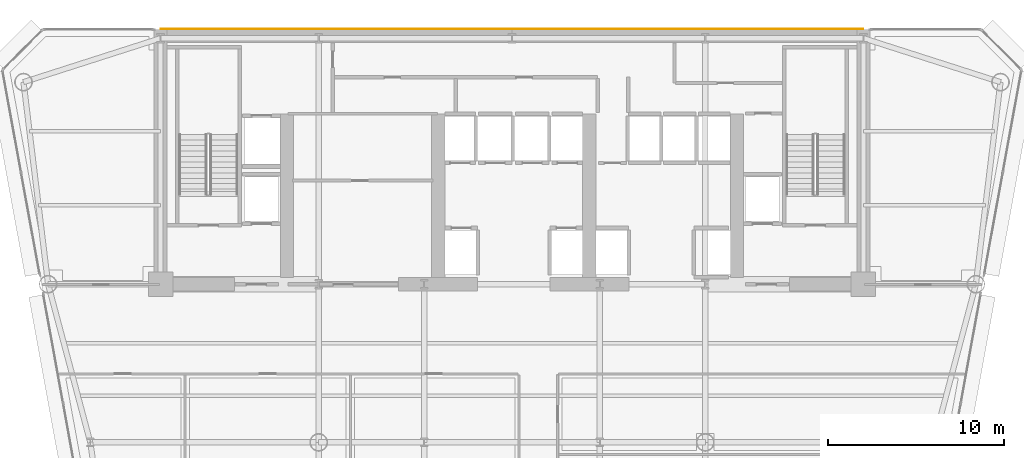
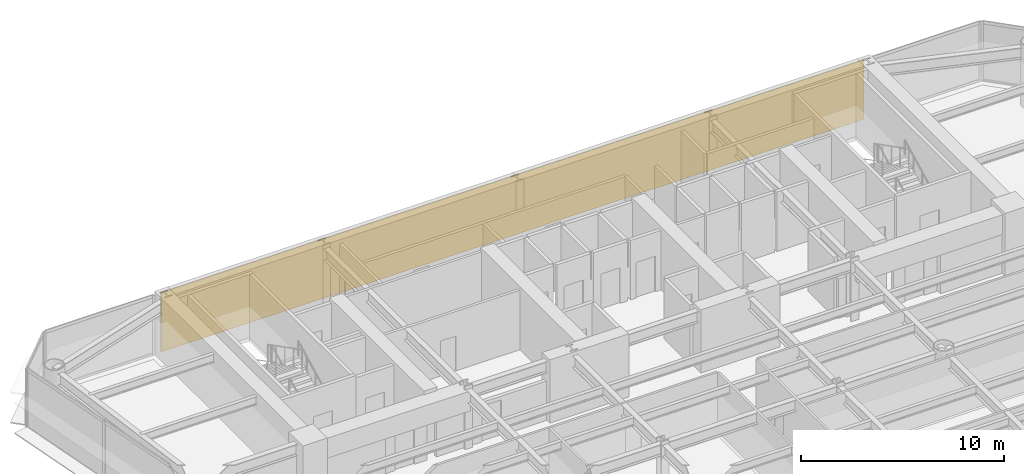
# One storey, part 13 of 14: 1 covering.
"""IFC4 building model written with IfcOpenShell, lengths in metres."""

from ifc_helpers import new_model, si_unit, direction, frame, origin, place, context, subcontext, project, spatial, polyline, outline, extrude, material, layer, layer_set, type_object, element, save


model = new_model("IFC4")

# Units and contexts
model_context = context("Model", 3, precision=1e-05, world=origin(), true_north=direction((0.0, 1.0)))
body_context = subcontext(model_context, "Body", "Model", "MODEL_VIEW")
ifc_project = project(units=[si_unit("LENGTHUNIT", "METRE"), si_unit("AREAUNIT", "SQUARE_METRE"), si_unit("VOLUMEUNIT", "CUBIC_METRE"), si_unit("PLANEANGLEUNIT", "RADIAN"), si_unit("MASSUNIT", "GRAM", prefix="KILO")], contexts=[model_context])

# Site, building, storey
site_placement = place(None, origin())
site = spatial("IfcSite", under=ifc_project, at=site_placement, CompositionType="ELEMENT")
building_placement = place(site_placement, origin())
building = spatial("IfcBuilding", under=site, at=building_placement, Name="Vaeldorn Concourse Tower", CompositionType="ELEMENT")
storey_placement = place(building_placement, frame((0.0, 0.0, 107.199951171875)))
storey = spatial("IfcBuildingStorey", under=building, at=storey_placement, Name="L27", CompositionType="ELEMENT", Elevation=107.199951171875)

# Covering
ifc_material = material(Name="Anodised Bronze Aluminium", Category="aluminium")
ifc_layer = layer(ifc_material, 0.050048828125)
ifc_layer_set = layer_set([ifc_layer], Name="Anodised Bronze Aluminium")
covering_type = type_object("IfcCoveringType", Name="COV-CLAD-BRONZE", PredefinedType="CLADDING", material=ifc_layer_set)
covering_placement = place(storey_placement, origin())
element("IfcCovering", 1, at=covering_placement, inside=storey, type_object=covering_type, Name="Rear Core Bronze Spandrel Cladding L27", PredefinedType="CLADDING", context=body_context, shape_type="SweptSolid", body=[
    extrude(outline(polyline([(14.0, 51.0), (54.0, 51.0), (54.0, 51.050048828125), (14.0, 51.050048828125), (14.0, 51.0)])), origin(), (0.0, 0.0, 1.0), 3.580078125),
])

save(model, "model.ifc")
